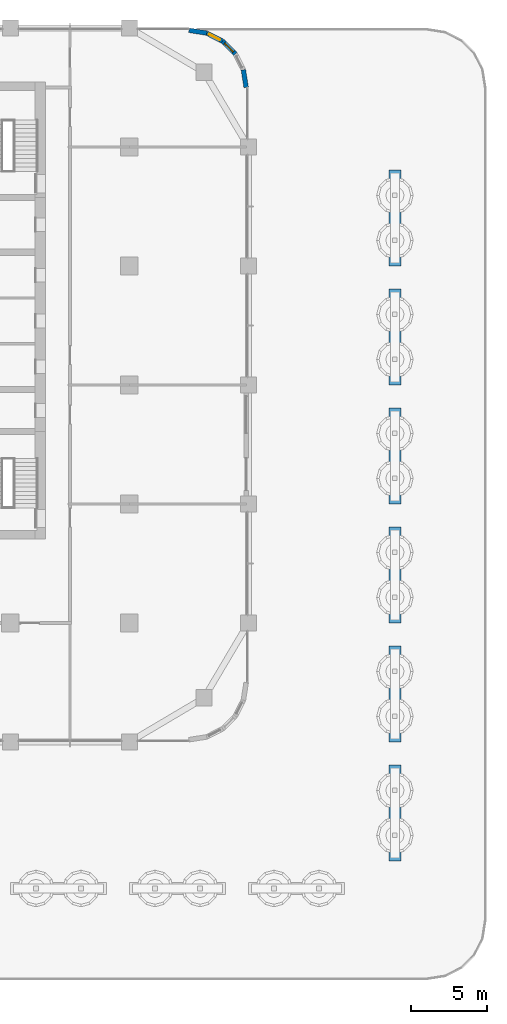
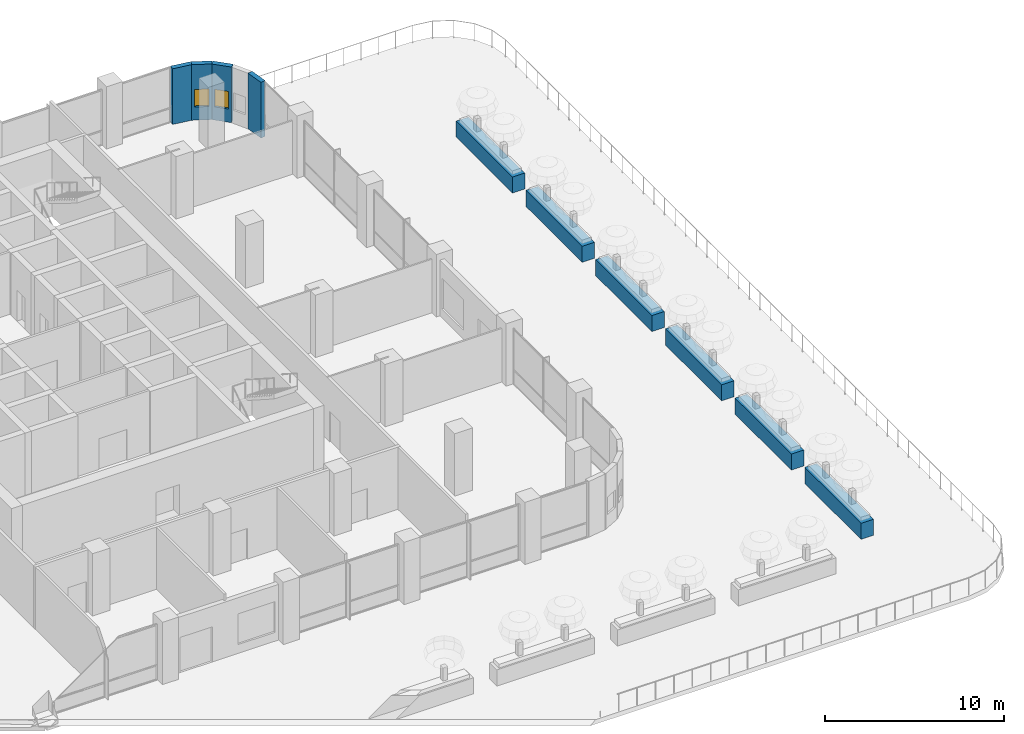
# One storey, part 16 of 31: 10 walls, 2 windows, 2 openings.
"""IFC4 building model written with IfcOpenShell, lengths in metres."""

from ifc_helpers import new_model, si_unit, direction, frame, frame_2d, origin, place, context, subcontext, project, spatial, rectangle, extrude, material, layer, layer_set, type_object, element, fill, save


model = new_model("IFC4")

# Units and contexts
model_context = context("Model", 3, precision=1e-05, world=origin(), true_north=direction((0.0, 1.0)))
body_context = subcontext(model_context, "Body", "Model", "MODEL_VIEW")
ifc_project = project(units=[si_unit("LENGTHUNIT", "METRE"), si_unit("AREAUNIT", "SQUARE_METRE"), si_unit("VOLUMEUNIT", "CUBIC_METRE"), si_unit("PLANEANGLEUNIT", "RADIAN"), si_unit("MASSUNIT", "GRAM", prefix="KILO")], contexts=[model_context])

# Site, building, storey
site_placement = place(None, origin())
site = spatial("IfcSite", under=ifc_project, at=site_placement, CompositionType="ELEMENT")
building_placement = place(site_placement, origin())
building = spatial("IfcBuilding", under=site, at=building_placement, Name="Ludao Terraces", CompositionType="ELEMENT")
storey_placement = place(building_placement, frame((0.0, 0.0, 15.0)))
storey = spatial("IfcBuildingStorey", under=building, at=storey_placement, Name="L03", CompositionType="ELEMENT", Elevation=15.0)

# Wall
ifc_material_1 = material(Name="Granite cladding", Category="masonry")
ifc_layer_1 = layer(ifc_material_1, 0.0400390625, Category="stone")
ifc_material_2 = material(Name="Mineral wool")
ifc_layer_2 = layer(ifc_material_2, 0.06005859375)
ifc_material_3 = material(Name="Concrete C40", Category="concrete")
ifc_layer_3 = layer(ifc_material_3, 0.199951171875, Category="concrete")
ifc_layer_set_1 = layer_set([ifc_layer_1, ifc_layer_2, ifc_layer_3], Name="ENV Stone-clad wall 300")
wall_type_1 = type_object("IfcWallType", Name="ENV Stone-clad wall 300", PredefinedType="SOLIDWALL", material=ifc_layer_set_1)
wall_1_placement = place(storey_placement, frame((108.25, 84.5, 0.0), z_axis=(0.0, 0.0, 1.0), x_axis=(-0.156496880861, 0.987678452879, 0.0)))
element("IfcWall", 1, at=wall_1_placement, inside=storey, type_object=wall_type_1, Name="EW-L03-NE1", PredefinedType="SOLIDWALL", context=body_context, shape_type="SweptSolid", body=[
    extrude(rectangle(XDim=1.173095703125, YDim=0.300048828125, at=frame_2d((0.58642578125, 0.0))), origin(), (0.0, 0.0, 1.0), 3.800048828125),
])

# Wall, opening, window
wall_2_placement = place(storey_placement, frame((107.53369140625, 86.7041015625, 0.0), z_axis=(0.0, 0.0, 1.0), x_axis=(-0.707106781187, 0.707106781187, 0.0)))
wall_2 = element("IfcWall", 2, at=wall_2_placement, inside=storey, type_object=wall_type_1, Name="EW-L03-NE3", PredefinedType="SOLIDWALL", context=body_context, shape_type="SweptSolid", body=[
    extrude(rectangle(XDim=1.173095703125, YDim=0.300048828125, at=frame_2d((0.58642578125, 0.0))), origin(), (0.0, 0.0, 1.0), 3.800048828125),
])
opening_1_placement = place(wall_2_placement, frame((0.1865234375, 0.0, 0.89990234375)))
opening_1 = element("IfcOpeningElement", 3, at=opening_1_placement, cuts=wall_2, Name="Opening W3", PredefinedType="OPENING", context=body_context, shape_type="SweptSolid", body=[
    extrude(rectangle(XDim=0.800048828125, YDim=1.199951171875, at=frame_2d((0.39990234375, 0.60009765625))), frame((0.0, 0.16015625, 0.0), z_axis=(0.0, -1.0, 0.0), x_axis=(1.0, 0.0, 0.0)), (0.0, 0.0, 1.0), 0.320068359375),
])
ifc_material_4 = material(Name="Clear glass in aluminium frame", Category="aluminium")
ifc_layer_4 = layer(ifc_material_4, 0.06005859375)
ifc_layer_set_2 = layer_set([ifc_layer_4], Name="ENV Window W3 800x1200")
window_type = type_object("IfcWindowType", Name="ENV Window W3 800x1200", PartitioningType="SINGLE_PANEL", PredefinedType="WINDOW", material=ifc_layer_set_2)
window_1_placement = place(opening_1_placement, origin())
window_1 = element("IfcWindow", 4, at=window_1_placement, inside=storey, type_object=window_type, Name="W-L03-NE3", OverallHeight=1.199951171875, OverallWidth=0.800048828125, PartitioningType="SINGLE_PANEL", PredefinedType="WINDOW", context=body_context, shape_type="SweptSolid", body=[
    extrude(rectangle(XDim=0.800048828125, YDim=1.199951171875, at=frame_2d((0.39990234375, 0.60009765625))), frame((0.0, 0.030029296875, 0.0), z_axis=(0.0, -1.0, 0.0), x_axis=(1.0, 0.0, 0.0)), (0.0, 0.0, 1.0), 0.06005859375),
])
fill(opening_1, window_1)

wall_3_placement = place(storey_placement, frame((106.7041015625, 87.53369140625, 0.0), z_axis=(0.0, 0.0, 1.0), x_axis=(-0.890988677504, 0.454025524128, 0.0)))
wall_3 = element("IfcWall", 5, at=wall_3_placement, inside=storey, type_object=wall_type_1, Name="EW-L03-NE4", PredefinedType="SOLIDWALL", context=body_context, shape_type="SweptSolid", body=[
    extrude(rectangle(XDim=1.17333984375, YDim=0.300048828125, at=frame_2d((0.586669921875, 0.0))), origin(), (0.0, 0.0, 1.0), 3.800048828125),
])
opening_2_placement = place(wall_3_placement, frame((0.1865234375, 0.0, 0.89990234375)))
opening_2 = element("IfcOpeningElement", 6, at=opening_2_placement, cuts=wall_3, Name="Opening W3", PredefinedType="OPENING", context=body_context, shape_type="SweptSolid", body=[
    extrude(rectangle(XDim=0.800048828125, YDim=1.199951171875, at=frame_2d((0.39990234375, 0.60009765625))), frame((0.0, 0.16015625, 0.0), z_axis=(0.0, -1.0, 0.0), x_axis=(1.0, 0.0, 0.0)), (0.0, 0.0, 1.0), 0.320068359375),
])
window_2_placement = place(opening_2_placement, origin())
window_2 = element("IfcWindow", 7, at=window_2_placement, inside=storey, type_object=window_type, Name="W-L03-NE4", OverallHeight=1.199951171875, OverallWidth=0.800048828125, PartitioningType="SINGLE_PANEL", PredefinedType="WINDOW", context=body_context, shape_type="SweptSolid", body=[
    extrude(rectangle(XDim=0.800048828125, YDim=1.199951171875, at=frame_2d((0.39990234375, 0.60009765625))), frame((0.0, 0.030029296875, 0.0), z_axis=(0.0, -1.0, 0.0), x_axis=(1.0, 0.0, 0.0)), (0.0, 0.0, 1.0), 0.06005859375),
])
fill(opening_2, window_2)

# Walls
wall_4_placement = place(storey_placement, frame((105.65869140625, 88.06640625, 0.0), z_axis=(0.0, 0.0, 1.0), x_axis=(-0.987678452879, 0.156496880861, 0.0)))
element("IfcWall", 8, at=wall_4_placement, inside=storey, type_object=wall_type_1, Name="EW-L03-NE5", PredefinedType="SOLIDWALL", context=body_context, shape_type="SweptSolid", body=[
    extrude(rectangle(XDim=1.173095703125, YDim=0.300048828125, at=frame_2d((0.58642578125, 0.0))), origin(), (0.0, 0.0, 1.0), 3.800048828125),
])
ifc_layer_5 = layer(ifc_material_3, 0.800048828125)
ifc_layer_set_3 = layer_set([ifc_layer_5], Name="ENV Terrace planter 800")
wall_type_2 = type_object("IfcWallType", Name="ENV Terrace planter 800", PredefinedType="USERDEFINED", material=ifc_layer_set_3)
wall_5_placement = place(storey_placement, frame((118.0, 33.800048828125, 0.0), z_axis=(0.0, 0.0, 1.0), x_axis=(0.0, 1.0, 0.0)))
element("IfcWall", 9, at=wall_5_placement, inside=storey, type_object=wall_type_2, Name="PL-L03-T15", ObjectType="PLANTER", PredefinedType="USERDEFINED", context=body_context, shape_type="SweptSolid", body=[
    extrude(rectangle(XDim=6.300048828125, YDim=0.800048828125, at=frame_2d((3.14990234375, 0.0))), origin(), (0.0, 0.0, 1.0), 1.10009765625),
])
wall_6_placement = place(storey_placement, frame((118.0, 41.60009765625, 0.0), z_axis=(0.0, 0.0, 1.0), x_axis=(0.0, 1.0, 0.0)))
element("IfcWall", 10, at=wall_6_placement, inside=storey, type_object=wall_type_2, Name="PL-L03-T16", ObjectType="PLANTER", PredefinedType="USERDEFINED", context=body_context, shape_type="SweptSolid", body=[
    extrude(rectangle(XDim=6.2998046875, YDim=0.800048828125, at=frame_2d((3.14990234375, 0.0))), origin(), (0.0, 0.0, 1.0), 1.10009765625),
])
for number, where, z_axis, x_axis, name in (
    (11, (118.0, 49.39990234375, 0.0), (0.0, 0.0, 1.0), (0.0, 1.0, 0.0), "PL-L03-T17"),
    (12, (118.0, 57.199951171875, 0.0), (0.0, 0.0, 1.0), (0.0, 1.0, 0.0), "PL-L03-T18"),
    (13, (118.0, 65.0, 0.0), (0.0, 0.0, 1.0), (0.0, 1.0, 0.0), "PL-L03-T19"),
    (14, (118.0, 72.800048828125, 0.0), (0.0, 0.0, 1.0), (0.0, 1.0, 0.0), "PL-L03-T20"),
):
    element("IfcWall", number, at=place(storey_placement, frame(where, z_axis=z_axis, x_axis=x_axis)), inside=storey, type_object=wall_type_2, Name=name, ObjectType="PLANTER", PredefinedType="USERDEFINED", context=body_context, shape_type="SweptSolid", body=[
        extrude(rectangle(XDim=6.300048828125, YDim=0.800048828125, at=frame_2d((3.14990234375, 0.0))), origin(), (0.0, 0.0, 1.0), 1.10009765625),
    ])

save(model, "model.ifc")
